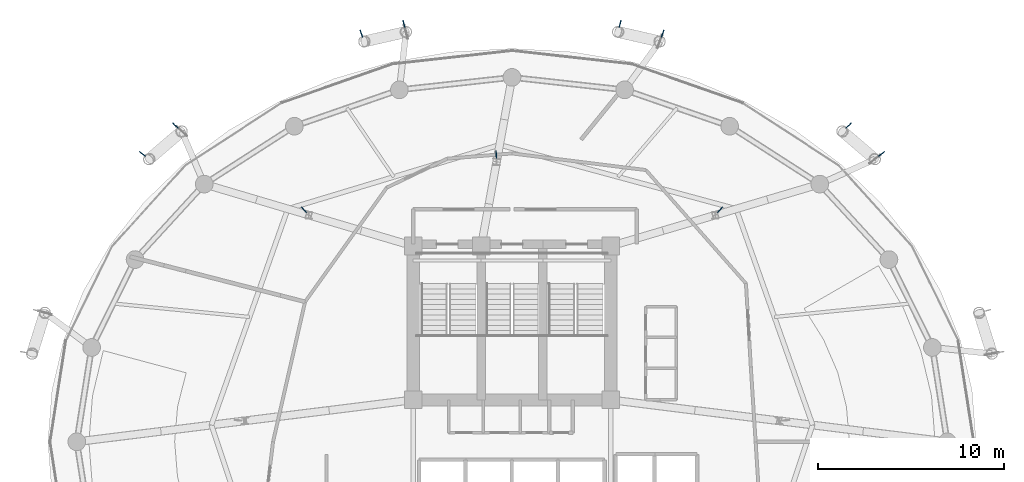
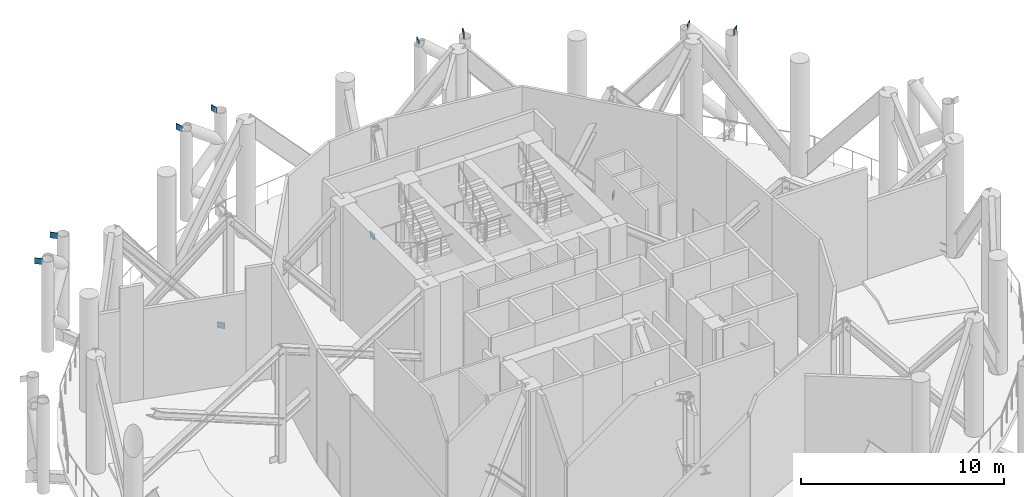
# One storey, part 13 of 18: 11 discrete accessories.
"""IFC4 building model written with IfcOpenShell, lengths in metres."""

from ifc_helpers import new_model, si_unit, direction, frame, origin, origin_2d, place, context, subcontext, project, spatial, rectangle, extrude, material, type_object, element, save


model = new_model("IFC4")

# Units and contexts
model_context = context("Model", 3, precision=1e-05, world=origin(), true_north=direction((0.0, 1.0)))
body_context = subcontext(model_context, "Body", "Model", "MODEL_VIEW")
ifc_project = project(units=[si_unit("LENGTHUNIT", "METRE"), si_unit("AREAUNIT", "SQUARE_METRE"), si_unit("VOLUMEUNIT", "CUBIC_METRE"), si_unit("PLANEANGLEUNIT", "RADIAN"), si_unit("MASSUNIT", "GRAM", prefix="KILO")], contexts=[model_context])

# Site, building, storey
site_placement = place(None, origin())
site = spatial("IfcSite", under=ifc_project, at=site_placement, CompositionType="ELEMENT")
building_placement = place(site_placement, origin())
building = spatial("IfcBuilding", under=site, at=building_placement, Name="Nuhasar Tower", CompositionType="ELEMENT")
storey_placement = place(building_placement, frame((0.0, 0.0, 195.949951171875)))
storey = spatial("IfcBuildingStorey", under=building, at=storey_placement, Name="L48", CompositionType="ELEMENT", Elevation=195.949951171875)

# Discrete accessories
ifc_material = material(Name="Steel S460", Category="steel")
discrete_accessory_type = type_object("IfcDiscreteAccessoryType", Name="ACC-GUS-40", PredefinedType="USERDEFINED", material=ifc_material)
for number, where, z_axis, x_axis, name in (
    (1, (58.830078125, 42.241943359375, 5.080078125), (0.0, 0.0, 1.0), (0.788998306749, 0.614395371034, 0.0), "L48 Exoskeleton Chord Column EC-02A Gusset Plate"),
    (2, (57.054931640625, 43.76904296875, 5.080078125), (0.0, 0.0, 1.0), (0.728681821056, 0.684852395529, 0.0), "L48 Exoskeleton Chord Column EC-02B Gusset Plate"),
    (3, (47.0859375, 48.702880859375, 5.080078125), (0.0, 0.0, 1.0), (0.346313543819, 0.938118824759, 0.0), "L48 Exoskeleton Chord Column EC-03A Gusset Plate"),
    (4, (44.800048828125, 49.23095703125, 5.080078125), (0.0, 0.0, 1.0), (0.250346209174, 0.968156379699, 0.0), "L48 Exoskeleton Chord Column EC-03B Gusset Plate"),
    (5, (33.199951171875, 49.23095703125, 5.080078125), (0.0, 0.0, 1.0), (-0.250346209174, 0.968156379699, 0.0), "L48 Exoskeleton Chord Column EC-04A Gusset Plate"),
    (6, (30.9140625, 48.702880859375, 5.080078125), (0.0, 0.0, 1.0), (-0.346313543819, 0.938118824759, 0.0), "L48 Exoskeleton Chord Column EC-04B Gusset Plate"),
    (7, (20.945068359375, 43.76904296875, 5.080078125), (0.0, 0.0, 1.0), (-0.728681821056, 0.684852395529, 0.0), "L48 Exoskeleton Chord Column EC-05A Gusset Plate"),
    (8, (19.169921875, 42.241943359375, 5.080078125), (0.0, 0.0, 1.0), (-0.788998306749, 0.614395371034, 0.0), "L48 Exoskeleton Chord Column EC-05B Gusset Plate"),
    (9, (50.159912109375, 39.2451171875, 0.0), (0.0, 0.0, 1.0), (0.667611684397, 0.744509663374, 0.0), "L48 Outrigger Truss Post 05 Gusset Plate"),
    (10, (38.154052734375, 42.2041015625, 0.0), (0.0, 0.0, 1.0), (-0.054828191047, 0.99849580343, 0.0), "L48 Outrigger Truss Post 06 Gusset Plate"),
    (11, (27.841064453125, 39.2451171875, 0.0), (0.0, 0.0, 1.0), (-0.6675856957, 0.744532966964, 0.0), "L48 Outrigger Truss Post 07 Gusset Plate"),
):
    element("IfcDiscreteAccessory", number, at=place(storey_placement, frame(where, z_axis=z_axis, x_axis=x_axis)), inside=storey, type_object=discrete_accessory_type, Name=name, ObjectType="STEEL_GUSSET_PLATE", PredefinedType="USERDEFINED", context=body_context, shape_type="SweptSolid", body=[
        extrude(rectangle(XDim=0.39990234375, YDim=0.0400390625, at=origin_2d()), origin(), (0.0, 0.0, 1.0), 0.35009765625),
    ])

save(model, "model.ifc")
